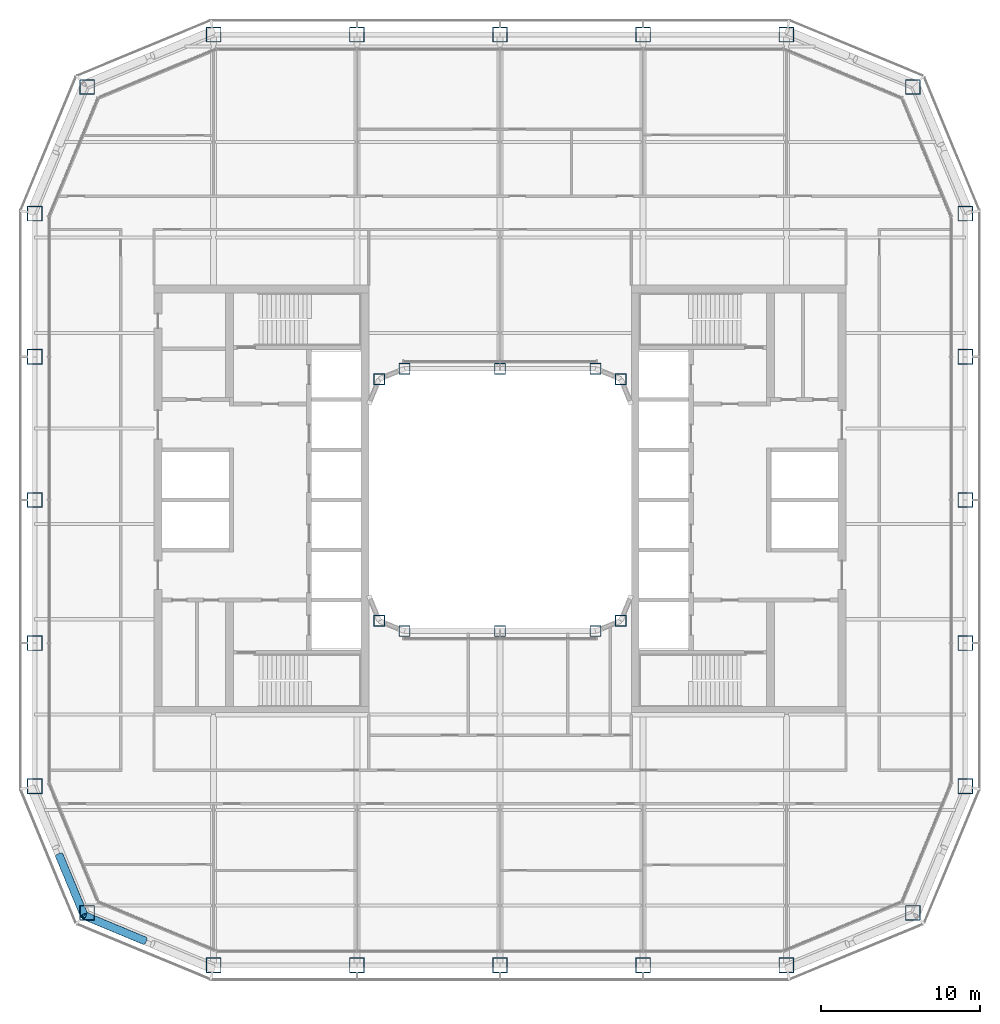
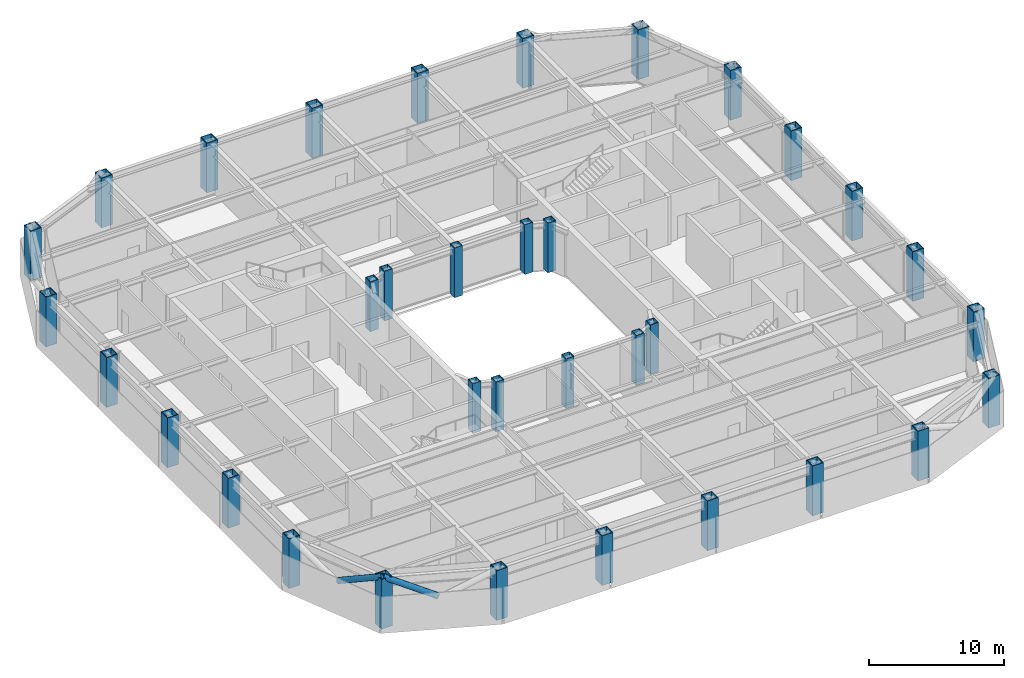
# One storey, part 1 of 21: 34 columns, 2 members.
"""IFC4 building model written with IfcOpenShell, lengths in metres."""

import ifcopenshell
import ifcopenshell.guid

model = None  # the IFC model being written
_history = None  # IfcOwnerHistory: only IFC2X3 demands one
_inside = {}  # id of a spatial element -> (the spatial element, [elements in it])
_under = {}  # id of a project, library or spatial element -> (it, [spatial elements below it])
_declared = {}  # id of a project -> (the project, [libraries it declares])
_typed = {}  # id of a type object -> (the type object, [elements of that type])
_made_of = {}  # id of a material, layer set ... -> (it, [elements and type objects made of it])


def new_model(schema):
    """Start an empty IFC model of exactly this schema.

    Asked for "IFC4X3", IfcOpenShell would pick the latest addendum, in which some entities
    have other attributes; the version numbers below select the first issue.
    IFC2X3 requires an IfcOwnerHistory on every rooted entity: one is made here for all.
    """
    global model, _history
    if schema == "IFC4X3":
        model = ifcopenshell.file(schema_version=(4, 3, 0, 0))
    else:
        model = ifcopenshell.file(schema=schema)
    _inside.clear()
    _under.clear()
    _declared.clear()
    _typed.clear()
    _made_of.clear()
    _history = None
    if model.schema == "IFC2X3":
        org = make("IfcOrganization", Name="unknown")
        user = make(
            "IfcPersonAndOrganization",
            ThePerson=make("IfcPerson", FamilyName="unknown"),
            TheOrganization=org,
        )
        app = make(
            "IfcApplication",
            ApplicationDeveloper=org,
            Version="unknown",
            ApplicationFullName="unknown",
            ApplicationIdentifier="unknown",
        )
        _history = make(
            "IfcOwnerHistory",
            OwningUser=user,
            OwningApplication=app,
            ChangeAction="ADDED",
            CreationDate=0,
        )
    return model


def make(cls, **values):
    """One entity of the class cls with the attributes given. An attribute that is None is left unset."""
    return model.create_entity(
        cls, **{name: value for name, value in values.items() if value is not None}
    )


def rooted(cls, **values):
    """An entity with a GlobalId (a new one), such as an element, a storey or a relation."""
    return make(cls, GlobalId=ifcopenshell.guid.new(), OwnerHistory=_history, **values)


def si_unit(unit_type, name, prefix=None):
    """IfcSIUnit, for example si_unit("LENGTHUNIT", "METRE", prefix="MILLI")."""
    return make("IfcSIUnit", UnitType=unit_type, Prefix=prefix, Name=name)


def assignment(units):
    """IfcUnitAssignment: the units of a project."""
    return None if units is None else make("IfcUnitAssignment", Units=units)


def point(xyz):
    """IfcCartesianPoint."""
    return None if xyz is None else make("IfcCartesianPoint", Coordinates=xyz)


def direction(xyz):
    """IfcDirection."""
    return None if xyz is None else make("IfcDirection", DirectionRatios=xyz)


def frame(location, z_axis=None, x_axis=None):
    """IfcAxis2Placement3D, a coordinate frame: its origin and axes. An axis left out is left unset."""
    return make(
        "IfcAxis2Placement3D",
        Location=point(location),
        Axis=direction(z_axis),
        RefDirection=direction(x_axis),
    )


def frame_2d(location, x_axis=None):
    """IfcAxis2Placement2D, a coordinate frame in the plane: its origin and x axis."""
    return make(
        "IfcAxis2Placement2D", Location=point(location), RefDirection=direction(x_axis)
    )


def origin():
    """The frame at (0, 0, 0) with its axes left unset."""
    return frame((0.0, 0.0, 0.0))


def origin_2d():
    """The frame at (0, 0) in the plane with its x axis left unset."""
    return frame_2d((0.0, 0.0))


def place(relative_to, where):
    """IfcLocalPlacement: puts the frame where relative to a parent placement (None: the world)."""
    return make(
        "IfcLocalPlacement", PlacementRelTo=relative_to, RelativePlacement=where
    )


def context(
    kind, dimensions, precision=None, world=None, true_north=None, identifier=None
):
    """IfcGeometricRepresentationContext, for example the 3D "Model" context."""
    return make(
        "IfcGeometricRepresentationContext",
        ContextIdentifier=identifier,
        ContextType=kind,
        CoordinateSpaceDimension=dimensions,
        Precision=precision,
        WorldCoordinateSystem=world,
        TrueNorth=true_north,
    )


def subcontext(parent, identifier, kind, view, scale=None):
    """IfcGeometricRepresentationSubContext, for example "Body" below "Model"."""
    return make(
        "IfcGeometricRepresentationSubContext",
        ContextIdentifier=identifier,
        ContextType=kind,
        ParentContext=parent,
        TargetScale=scale,
        TargetView=view,
    )


def project(units=None, contexts=None):
    """IfcProject with its units and contexts."""
    return rooted(
        "IfcProject",
        Name="project",
        RepresentationContexts=contexts,
        UnitsInContext=assignment(units),
    )


def spatial(cls, under=None, at=None, **own):
    """A site, building, storey or space (cls), placed at a placement, below another one or the project."""
    s = rooted(cls, ObjectPlacement=at, **own)
    if under is not None:
        _under.setdefault(under.id(), (under, []))[1].append(s)
    return s


def profile(cls, at=None, kind="AREA", **sizes):
    """A parametric profile (cls). Its sizes go by their IFC names, for example OverallWidth=200.0."""
    return make(cls, ProfileType=kind, Position=at, **sizes)


def hollow_rectangle(**sizes):
    """IfcRectangleHollowProfileDef."""
    return profile("IfcRectangleHollowProfileDef", **sizes)


def hollow_circle(**sizes):
    """IfcCircleHollowProfileDef."""
    return profile("IfcCircleHollowProfileDef", **sizes)


def extrude(swept, where, along, depth):
    """IfcExtrudedAreaSolid: the profile swept, set in the frame where, extruded along a direction by depth."""
    return make(
        "IfcExtrudedAreaSolid",
        SweptArea=swept,
        Position=where,
        ExtrudedDirection=direction(along),
        Depth=depth,
    )


def shape(context_of_items, identifier, shape_type, items):
    """IfcShapeRepresentation: the items that make up one representation, for example the "Body"."""
    return make(
        "IfcShapeRepresentation",
        ContextOfItems=context_of_items,
        RepresentationIdentifier=identifier,
        RepresentationType=shape_type,
        Items=items,
    )


def material(Name=None, Category=None):
    """IfcMaterial."""
    return make("IfcMaterial", Name=Name, Category=Category)


def material_profile(
    of_material, cross_section, Name=None, Category=None, Priority=None
):
    """IfcMaterialProfile: a cross section and its material."""
    return make(
        "IfcMaterialProfile",
        Name=Name,
        Material=of_material,
        Profile=cross_section,
        Priority=Priority,
        Category=Category,
    )


def profile_set(profiles, Name=None, composite=None):
    """IfcMaterialProfileSet."""
    return make(
        "IfcMaterialProfileSet",
        Name=Name,
        MaterialProfiles=profiles,
        CompositeProfile=composite,
    )


def made_of(thing, what):
    """Note that an element or type object is made of a material, layer set ...; save() writes the relation."""
    if what is not None:
        _made_of.setdefault(what.id(), (what, []))[1].append(thing)
    return thing


def type_object(cls, material=None, **own):
    """A type object (cls), such as IfcWallType, which elements share."""
    return made_of(rooted(cls, **own), material)


def element(
    cls,
    number,
    at=None,
    inside=None,
    cuts=None,
    type_object=None,
    material=None,
    context=None,
    identifier="Body",
    shape_type=None,
    held_by="IfcProductDefinitionShape",
    body=None,
    shapes=None,
    **own,
):
    """One element of the class cls, such as IfcWall. Its Tag is "e" and its number.

    at: its placement. inside: the storey or other place that contains it. cuts: it is an
    opening in that element (IfcRelVoidsElement). A single representation is given by context,
    identifier, shape_type and body (its items); several are given by shapes. held_by: the class
    of the entity that holds the representations. save() writes the other relations.
    """
    e = rooted(cls, Tag="e%d" % number, ObjectPlacement=at, **own)
    if body is not None:
        shapes = [shape(context, identifier, shape_type, body)]
    if shapes is not None:
        e.Representation = make(held_by, Representations=shapes)
    if inside is not None:
        _inside.setdefault(inside.id(), (inside, []))[1].append(e)
    if cuts is not None:
        rooted(
            "IfcRelVoidsElement", RelatingBuildingElement=cuts, RelatedOpeningElement=e
        )
    if type_object is not None:
        _typed.setdefault(type_object.id(), (type_object, []))[1].append(e)
    return made_of(e, material)


def aggregate(whole, parts):
    """IfcRelAggregates: a whole, such as a stair, and the parts it consists of."""
    return rooted("IfcRelAggregates", RelatingObject=whole, RelatedObjects=parts)


def save(model, path):
    """Write the relations noted so far, then the file.

    IfcRelAggregates (storeys below a building ...), IfcRelContainedInSpatialStructure (elements
    in a storey), IfcRelDefinesByType, IfcRelAssociatesMaterial and IfcRelDeclares: one each for
    every whole, place, type object, material and project.
    """
    for whole, parts in _under.values():
        aggregate(whole, parts)
    for where, things in _inside.values():
        rooted(
            "IfcRelContainedInSpatialStructure",
            RelatedElements=things,
            RelatingStructure=where,
        )
    for kind, things in _typed.values():
        rooted("IfcRelDefinesByType", RelatedObjects=things, RelatingType=kind)
    for what, things in _made_of.values():
        rooted("IfcRelAssociatesMaterial", RelatedObjects=things, RelatingMaterial=what)
    for by, libraries in _declared.values():
        rooted("IfcRelDeclares", RelatingContext=by, RelatedDefinitions=libraries)
    model.write(path)


model = new_model("IFC4")

# Units and contexts
model_context = context("Model", 3, precision=1e-05, world=origin(), true_north=direction((0.0, 1.0)))
body_context = subcontext(model_context, "Body", "Model", "MODEL_VIEW")
ifc_project = project(units=[si_unit("LENGTHUNIT", "METRE"), si_unit("AREAUNIT", "SQUARE_METRE"), si_unit("VOLUMEUNIT", "CUBIC_METRE"), si_unit("PLANEANGLEUNIT", "RADIAN"), si_unit("MASSUNIT", "GRAM", prefix="KILO")], contexts=[model_context])

# Site, building, storey
site_placement = place(None, origin())
site = spatial("IfcSite", under=ifc_project, at=site_placement, CompositionType="ELEMENT")
building_placement = place(site_placement, origin())
building = spatial("IfcBuilding", under=site, at=building_placement, Name="Siwar Civic Tower", CompositionType="ELEMENT")
storey_placement = place(building_placement, frame((0.0, 0.0, 104.699951171875)))
storey = spatial("IfcBuildingStorey", under=building, at=storey_placement, Name="L22", CompositionType="ELEMENT", Elevation=104.699951171875)

# Columns
ifc_material_1 = material(Name="Steel S355", Category="steel")
ifc_material_profile_1 = material_profile(ifc_material_1, hollow_rectangle(XDim=0.949951171875, YDim=0.949951171875, WallThickness=0.054931640625, at=origin_2d()), Name="BOX950x950x55")
ifc_profile_set_1 = profile_set([ifc_material_profile_1], Name="Steel S355")
column_type_1 = type_object("IfcColumnType", Name="STR-COL-BOX950x950x55", PredefinedType="COLUMN", material=ifc_profile_set_1)
for number, where, z_axis, x_axis, name in (
    (1, (-18.0, -29.25, 0.0), (0.0, 0.0, 1.0), (1.0, 0.0, 0.0), "L22/col/S-0"),
    (2, (-9.0, -29.25, 0.0), (0.0, 0.0, 1.0), (1.0, 0.0, 0.0), "L22/col/S-1"),
    (3, (0.0, -29.25, 0.0), (0.0, 0.0, 1.0), (1.0, 0.0, 0.0), "L22/col/S-2"),
    (4, (9.0, -29.25, 0.0), (0.0, 0.0, 1.0), (1.0, 0.0, 0.0), "L22/col/S-3"),
    (5, (18.0, -29.25, 0.0), (0.0, 0.0, 1.0), (1.0, 0.0, 0.0), "L22/col/SE1-0"),
    (6, (25.954833984375, -25.954833984375, 0.0), (0.0, 0.0, 1.0), (1.0, 0.0, 0.0), "L22/col/SE2-0"),
    (7, (29.25, -18.0, 0.0), (0.0, 0.0, 1.0), (1.0, 0.0, 0.0), "L22/col/E-0"),
    (8, (29.25, -9.0, 0.0), (0.0, 0.0, 1.0), (1.0, 0.0, 0.0), "L22/col/E-1"),
    (9, (29.25, 0.0, 0.0), (0.0, 0.0, 1.0), (1.0, 0.0, 0.0), "L22/col/E-2"),
    (10, (29.25, 9.0, 0.0), (0.0, 0.0, 1.0), (1.0, 0.0, 0.0), "L22/col/E-3"),
    (11, (29.25, 18.0, 0.0), (0.0, 0.0, 1.0), (1.0, 0.0, 0.0), "L22/col/NE1-0"),
    (12, (25.954833984375, 25.954833984375, 0.0), (0.0, 0.0, 1.0), (1.0, 0.0, 0.0), "L22/col/NE2-0"),
    (13, (18.0, 29.25, 0.0), (0.0, 0.0, 1.0), (1.0, 0.0, 0.0), "L22/col/N-0"),
    (14, (9.0, 29.25, 0.0), (0.0, 0.0, 1.0), (1.0, 0.0, 0.0), "L22/col/N-1"),
    (15, (0.0, 29.25, 0.0), (0.0, 0.0, 1.0), (1.0, 0.0, 0.0), "L22/col/N-2"),
    (16, (-9.0, 29.25, 0.0), (0.0, 0.0, 1.0), (1.0, 0.0, 0.0), "L22/col/N-3"),
    (17, (-18.0, 29.25, 0.0), (0.0, 0.0, 1.0), (1.0, 0.0, 0.0), "L22/col/NW1-0"),
    (18, (-25.954833984375, 25.954833984375, 0.0), (0.0, 0.0, 1.0), (1.0, 0.0, 0.0), "L22/col/NW2-0"),
    (19, (-29.25, 18.0, 0.0), (0.0, 0.0, 1.0), (1.0, 0.0, 0.0), "L22/col/W-0"),
    (20, (-29.25, 9.0, 0.0), (0.0, 0.0, 1.0), (1.0, 0.0, 0.0), "L22/col/W-1"),
    (21, (-29.25, 0.0, 0.0), (0.0, 0.0, 1.0), (1.0, 0.0, 0.0), "L22/col/W-2"),
    (22, (-29.25, -9.0, 0.0), (0.0, 0.0, 1.0), (1.0, 0.0, 0.0), "L22/col/W-3"),
    (23, (-29.25, -18.0, 0.0), (0.0, 0.0, 1.0), (1.0, 0.0, 0.0), "L22/col/SW1-0"),
    (24, (-25.954833984375, -25.954833984375, 0.0), (0.0, 0.0, 1.0), (1.0, 0.0, 0.0), "L22/col/SW2-0"),
):
    element("IfcColumn", number, at=place(storey_placement, frame(where, z_axis=z_axis, x_axis=x_axis)), inside=storey, type_object=column_type_1, Name=name, PredefinedType="COLUMN", context=body_context, shape_type="SweptSolid", body=[
        extrude(hollow_rectangle(XDim=0.949951171875, YDim=0.949951171875, WallThickness=0.054931640625, at=origin_2d()), origin(), (0.0, 0.0, 1.0), 4.5),
    ])
ifc_material_2 = material(Name="Steel S355", Category="steel")
ifc_material_profile_2 = material_profile(ifc_material_2, hollow_rectangle(XDim=0.699951171875, YDim=0.699951171875, WallThickness=0.0400390625, at=origin_2d()), Name="BOX700x700x40")
ifc_profile_set_2 = profile_set([ifc_material_profile_2], Name="Steel S355")
column_type_2 = type_object("IfcColumnType", Name="STR-ICOL-BOX700x700x40", PredefinedType="COLUMN", material=ifc_profile_set_2)
for number, where, z_axis, x_axis, name in (
    (25, (-7.591064453125, -7.591064453125, 0.0), (0.0, 0.0, 1.0), (1.0, 0.0, 0.0), "L22/col/IS-0"),
    (26, (-6.0, -8.25, 0.0), (0.0, 0.0, 1.0), (1.0, 0.0, 0.0), "L22/col/IS-1"),
    (27, (0.0, -8.25, 0.0), (0.0, 0.0, 1.0), (1.0, 0.0, 0.0), "L22/col/IS-2"),
    (28, (6.0, -8.25, 0.0), (0.0, 0.0, 1.0), (1.0, 0.0, 0.0), "L22/col/IS-3"),
    (29, (7.591064453125, -7.591064453125, 0.0), (0.0, 0.0, 1.0), (1.0, 0.0, 0.0), "L22/col/IS-4"),
    (30, (-7.591064453125, 7.591064453125, 0.0), (0.0, 0.0, 1.0), (1.0, 0.0, 0.0), "L22/col/IN-0"),
    (31, (-6.0, 8.25, 0.0), (0.0, 0.0, 1.0), (1.0, 0.0, 0.0), "L22/col/IN-1"),
    (32, (0.0, 8.25, 0.0), (0.0, 0.0, 1.0), (1.0, 0.0, 0.0), "L22/col/IN-2"),
    (33, (6.0, 8.25, 0.0), (0.0, 0.0, 1.0), (1.0, 0.0, 0.0), "L22/col/IN-3"),
    (34, (7.591064453125, 7.591064453125, 0.0), (0.0, 0.0, 1.0), (1.0, 0.0, 0.0), "L22/col/IN-4"),
):
    element("IfcColumn", number, at=place(storey_placement, frame(where, z_axis=z_axis, x_axis=x_axis)), inside=storey, type_object=column_type_2, Name=name, PredefinedType="COLUMN", context=body_context, shape_type="SweptSolid", body=[
        extrude(hollow_rectangle(XDim=0.699951171875, YDim=0.699951171875, WallThickness=0.0400390625, at=origin_2d()), origin(), (0.0, 0.0, 1.0), 4.5),
    ])

# Members
ifc_material_3 = material(Name="Steel S355", Category="steel")
ifc_material_profile_3 = material_profile(ifc_material_3, hollow_circle(Radius=0.25390625, WallThickness=0.02490234375, at=origin_2d()), Name="CHS508x25")
ifc_profile_set_3 = profile_set([ifc_material_profile_3], Name="Steel S355")
member_type = type_object("IfcMemberType", Name="STR-BR-CHS508x25", PredefinedType="BRACE", material=ifc_profile_set_3)
for number, where, z_axis, x_axis, name in (
    (35, (-22.342529296875, -27.70849609375, 2.390625), (-0.821163134736, 0.341670737976, 0.457112910516), (-0.384154943021, -0.923268638995, 0.0), "L22/brc/BSW1-1-0-3"),
    (36, (-27.70849609375, -22.342529296875, 2.390625), (0.341670737976, -0.821163134736, 0.457112910516), (0.923268638995, 0.384154943021, 0.0), "L22/brc/BSW1-1-0-5"),
):
    element("IfcMember", number, at=place(storey_placement, frame(where, z_axis=z_axis, x_axis=x_axis)), inside=storey, type_object=member_type, Name=name, PredefinedType="BRACE", context=body_context, shape_type="SweptSolid", body=[
        extrude(hollow_circle(Radius=0.25390625, WallThickness=0.02490234375, at=origin_2d()), origin(), (0.0, 0.0, 1.0), 4.614501953125),
    ])

save(model, "model.ifc")
